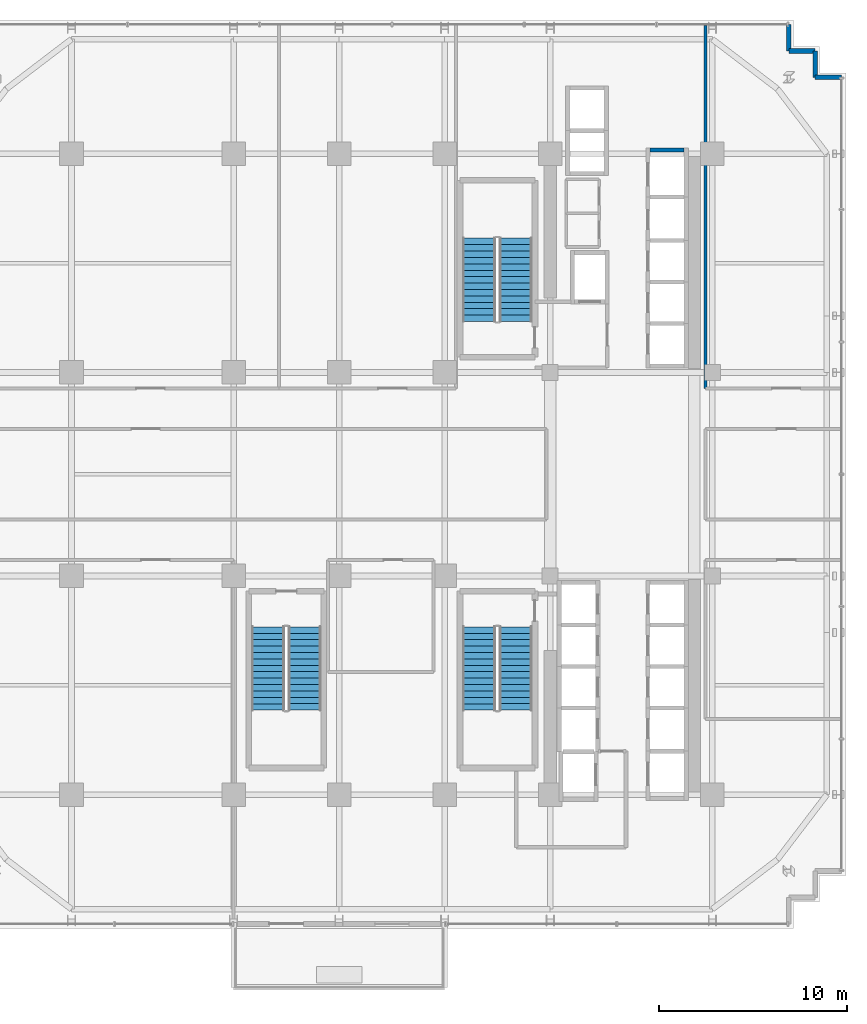
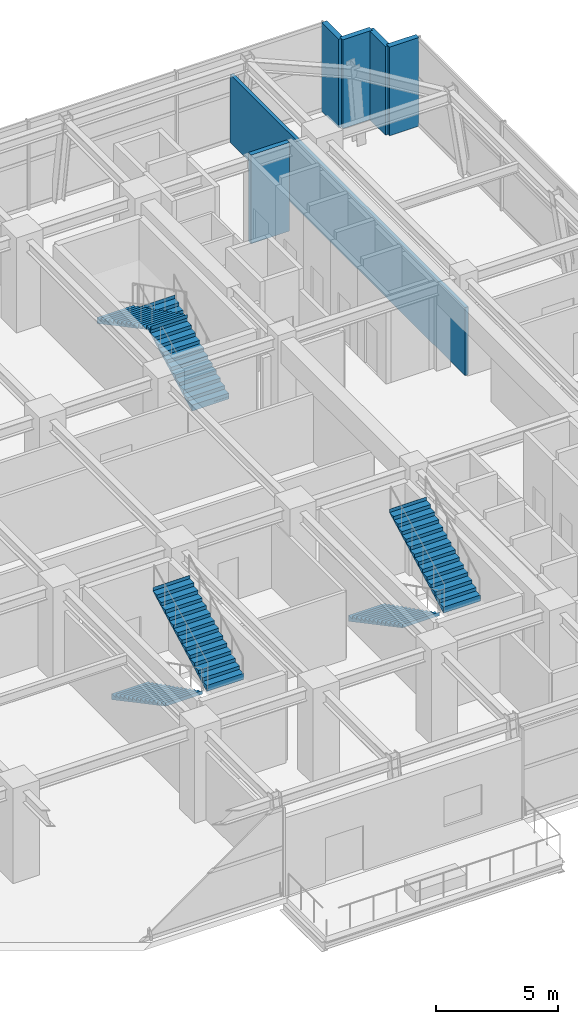
# One storey, part 23 of 26: 6 stair flights, 6 walls, 3 elements without a shape of their own.
"""IFC4 building model written with IfcOpenShell, lengths in metres."""

from ifc_helpers import new_model, si_unit, direction, frame, frame_2d, origin, place, context, subcontext, project, spatial, polyline, rectangle, outline, extrude, source, transform, mapped, material, layer, layer_set, type_object, element, aggregate, save


model = new_model("IFC4")

# Units and contexts
model_context = context("Model", 3, precision=1e-05, world=origin(), true_north=direction((0.0, 1.0)))
body_context = subcontext(model_context, "Body", "Model", "MODEL_VIEW")
ifc_project = project(units=[si_unit("LENGTHUNIT", "METRE"), si_unit("AREAUNIT", "SQUARE_METRE"), si_unit("VOLUMEUNIT", "CUBIC_METRE"), si_unit("PLANEANGLEUNIT", "RADIAN"), si_unit("MASSUNIT", "GRAM", prefix="KILO")], contexts=[model_context])

# Site, building, storey
site_placement = place(None, origin())
site = spatial("IfcSite", under=ifc_project, at=site_placement, CompositionType="ELEMENT")
building_placement = place(site_placement, origin())
building = spatial("IfcBuilding", under=site, at=building_placement, Name="Nahalor Promenade Grand Hotel", CompositionType="ELEMENT")
storey_placement = place(building_placement, frame((0.0, 0.0, 139.39990234375)))
storey = spatial("IfcBuildingStorey", under=building, at=storey_placement, Name="L35", CompositionType="ELEMENT", Elevation=139.39990234375)

# Walls
ifc_material_1 = material(Name="Concrete B-50 (C40/50)", Category="concrete")
ifc_layer_1 = layer(ifc_material_1, 0.219970703125)
ifc_layer_set_1 = layer_set([ifc_layer_1], Name="Concrete B-50 (C40/50)")
wall_type_1 = type_object("IfcWallType", Name="Wall-LiftShaft-220", PredefinedType="SHEAR", material=ifc_layer_set_1)
shared_shape_1 = source(origin(), body_context, "Body", "SweptSolid", [
    extrude(rectangle(XDim=1.820068359375, YDim=0.219970703125, at=frame_2d((0.91015625, 0.0))), origin(), (0.0, 0.0, 1.0), 4.440185546875),
])
wall_1_placement = place(storey_placement, frame((13.68994140625, 17.199951171875, 0.0), z_axis=(0.0, 0.0, 1.0), x_axis=(1.0, 0.0, 0.0)))
element("IfcWall", 1, at=wall_1_placement, inside=storey, type_object=wall_type_1, Name="L35 Lift SV1 Hoistway Wall N", PredefinedType="SHEAR", context=body_context, shape_type="MappedRepresentation", body=[
    mapped(shared_shape_1, transform((0.0, 0.0, 0.0), scale=1.0)),
])
ifc_material_2 = material(Name="Concrete B-40 (C32/40)", Category="concrete")
ifc_layer_2 = layer(ifc_material_2, 0.25)
ifc_layer_set_2 = layer_set([ifc_layer_2], Name="Concrete B-40 (C32/40)")
wall_type_2 = type_object("IfcWallType", Name="Wall-BronzePier-250", PredefinedType="STANDARD", material=ifc_layer_set_2)
shared_shape_2 = source(origin(), body_context, "Body", "SweptSolid", [
    extrude(rectangle(XDim=1.400146484375, YDim=0.25, at=frame_2d((0.7001953125, 0.0))), origin(), (0.0, 0.0, 1.0), 4.440185546875),
])
for number, where, z_axis, x_axis, name in (
    (2, (22.4599609375, 21.06005859375, 0.0), (0.0, 0.0, 1.0), (1.0, 0.0, 0.0), "W-L35-SR-05"),
    (3, (21.06005859375, 22.4599609375, 0.0), (0.0, 0.0, 1.0), (0.0, 1.0, 0.0), "W-L35-SR-08"),
):
    element("IfcWall", number, at=place(storey_placement, frame(where, z_axis=z_axis, x_axis=x_axis)), inside=storey, type_object=wall_type_2, Name=name, PredefinedType="STANDARD", context=body_context, shape_type="MappedRepresentation", body=[
        mapped(shared_shape_2, transform((0.0, 0.0, 0.0), scale=1.0)),
    ])
shared_shape_3 = source(origin(), body_context, "Body", "SweptSolid", [
    extrude(rectangle(XDim=1.39990234375, YDim=0.25, at=frame_2d((0.699951171875, 0.0))), origin(), (0.0, 0.0, 1.0), 4.440185546875),
])
for number, where, z_axis, x_axis, name in (
    (4, (22.4599609375, 21.06005859375, 0.0), (0.0, 0.0, 1.0), (0.0, 1.0, 0.0), "W-L35-SR-06"),
    (5, (21.06005859375, 22.4599609375, 0.0), (0.0, 0.0, 1.0), (1.0, 0.0, 0.0), "W-L35-SR-07"),
):
    element("IfcWall", number, at=place(storey_placement, frame(where, z_axis=z_axis, x_axis=x_axis)), inside=storey, type_object=wall_type_2, Name=name, PredefinedType="STANDARD", context=body_context, shape_type="MappedRepresentation", body=[
        mapped(shared_shape_3, transform((0.0, 0.0, 0.0), scale=1.0)),
    ])
ifc_material_3 = material(Name="Acoustic Mineral Gypsum", Category="gypsum")
ifc_layer_3 = layer(ifc_material_3, 0.159912109375)
ifc_layer_set_3 = layer_set([ifc_layer_3], Name="Acoustic Mineral Gypsum")
wall_type_3 = type_object("IfcWallType", Name="Wall-PartCorridor-160", PredefinedType="PARTITIONING", material=ifc_layer_set_3)
shared_shape_4 = source(origin(), body_context, "Body", "SweptSolid", [
    extrude(rectangle(XDim=19.25, YDim=0.159912109375, at=frame_2d((9.625, 0.0))), origin(), (0.0, 0.0, 1.0), 3.400146484375),
])
wall_2_placement = place(storey_placement, frame((16.64990234375, 4.550048828125, 0.0), z_axis=(0.0, 0.0, 1.0), x_axis=(0.0, 1.0, 0.0)))
element("IfcWall", 6, at=wall_2_placement, inside=storey, type_object=wall_type_3, Name="W-L35-SK06-W", PredefinedType="PARTITIONING", context=body_context, shape_type="MappedRepresentation", body=[
    mapped(shared_shape_4, transform((0.0, 0.0, 0.0), scale=1.0)),
])

# Stair, stair flights
stair_type_1 = type_object("IfcStairType", Name="Stair-ST1", PredefinedType="HALF_TURN_STAIR", material=ifc_material_1)
stair_1_placement = place(storey_placement, origin())
stair_1 = element("IfcStair", 7, at=stair_1_placement, inside=storey, type_object=stair_type_1, Name="L35 ST1", PredefinedType="HALF_TURN_STAIR")
ifc_layer_4 = layer(ifc_material_1, 0.179931640625)
ifc_layer_set_4 = layer_set([ifc_layer_4], Name="Concrete B-50 (C40/50)")
stair_flight_type_1 = type_object("IfcStairFlightType", Name="Flight-ST1", PredefinedType="STRAIGHT", material=ifc_layer_set_4)
shared_shape_5 = source(origin(), body_context, "Body", "SweptSolid", [
    extrude(outline(polyline([(-0.00390625, -0.1201171875), (-0.00390625, 0.0), (0.0, 0.0), (0.0, 0.17138671875), (0.340087890625, 0.17138671875), (0.340087890625, 0.3427734375), (0.679931640625, 0.3427734375), (0.679931640625, 0.514404296875), (1.02001953125, 0.514404296875), (1.02001953125, 0.685791015625), (1.360107421875, 0.685791015625), (1.360107421875, 0.857177734375), (1.699951171875, 0.857177734375), (1.699951171875, 1.028564453125), (2.0400390625, 1.028564453125), (2.0400390625, 1.199951171875), (2.3798828125, 1.199951171875), (2.3798828125, 1.371337890625), (2.719970703125, 1.371337890625), (2.719970703125, 1.54296875), (3.06005859375, 1.54296875), (3.06005859375, 1.71435546875), (3.39990234375, 1.71435546875), (3.39990234375, 1.8857421875), (3.739990234375, 1.8857421875), (3.739990234375, 2.05712890625), (4.080078125, 2.05712890625), (4.080078125, 2.228515625), (4.419921875, 2.228515625), (4.419921875, 2.39990234375), (4.424072265625, 2.39990234375), (4.424072265625, 2.219970703125), (0.02001953125, -0.1201171875), (-0.00390625, -0.1201171875)])), frame((0.0, 0.875, 0.0), z_axis=(0.0, -1.0, 0.0), x_axis=(1.0, 0.0, 0.0)), (0.0, 0.0, 1.0), 1.75),
])
stair_flight_1_placement = place(storey_placement, frame((6.574951171875, 8.10009765625, 0.0), z_axis=(0.0, 0.0, 1.0), x_axis=(0.0, 1.0, 0.0)))
stair_flight_1 = element("IfcStairFlight", 8, at=stair_flight_1_placement, type_object=stair_flight_type_1, Name="ST1 flight 1", NumberOfRisers=14, NumberOfTreads=13, PredefinedType="STRAIGHT", RiserHeight=0.171428571, TreadLength=0.34, context=body_context, shape_type="MappedRepresentation", body=[
    mapped(shared_shape_5, transform((0.0, 0.0, 0.0), scale=1.0)),
])
stair_flight_2_placement = place(storey_placement, frame((4.625, 12.52001953125, 2.400146484375), z_axis=(0.0, 0.0, 1.0), x_axis=(0.0, -1.0, 0.0)))
stair_flight_2 = element("IfcStairFlight", 9, at=stair_flight_2_placement, type_object=stair_flight_type_1, Name="ST1 flight 2", NumberOfRisers=14, NumberOfTreads=13, PredefinedType="STRAIGHT", RiserHeight=0.171428571, TreadLength=0.34, context=body_context, shape_type="MappedRepresentation", body=[
    mapped(shared_shape_5, transform((0.0, 0.0, 0.0), scale=1.0)),
])
aggregate(stair_1, [stair_flight_1, stair_flight_2])

stair_type_2 = type_object("IfcStairType", Name="Stair-ST2", PredefinedType="HALF_TURN_STAIR", material=ifc_material_1)
stair_2_placement = place(storey_placement, origin())
stair_2 = element("IfcStair", 10, at=stair_2_placement, inside=storey, type_object=stair_type_2, Name="L35 ST2", PredefinedType="HALF_TURN_STAIR")
ifc_layer_5 = layer(ifc_material_1, 0.18994140625)
ifc_layer_set_5 = layer_set([ifc_layer_5], Name="Concrete B-50 (C40/50)")
stair_flight_type_2 = type_object("IfcStairFlightType", Name="Flight-ST2", PredefinedType="STRAIGHT", material=ifc_layer_set_5)
shared_shape_6 = source(origin(), body_context, "Body", "SweptSolid", [
    extrude(outline(polyline([(-0.00390625, -0.1201171875), (-0.00390625, 0.0), (0.0, 0.0), (0.0, 0.17138671875), (0.340087890625, 0.17138671875), (0.340087890625, 0.3427734375), (0.679931640625, 0.3427734375), (0.679931640625, 0.514404296875), (1.02001953125, 0.514404296875), (1.02001953125, 0.685791015625), (1.360107421875, 0.685791015625), (1.360107421875, 0.857177734375), (1.699951171875, 0.857177734375), (1.699951171875, 1.028564453125), (2.0400390625, 1.028564453125), (2.0400390625, 1.199951171875), (2.3798828125, 1.199951171875), (2.3798828125, 1.371337890625), (2.719970703125, 1.371337890625), (2.719970703125, 1.54296875), (3.06005859375, 1.54296875), (3.06005859375, 1.71435546875), (3.39990234375, 1.71435546875), (3.39990234375, 1.8857421875), (3.739990234375, 1.8857421875), (3.739990234375, 2.05712890625), (4.080078125, 2.05712890625), (4.080078125, 2.228515625), (4.419921875, 2.228515625), (4.419921875, 2.39990234375), (4.424072265625, 2.39990234375), (4.424072265625, 2.219970703125), (0.02001953125, -0.1201171875), (-0.00390625, -0.1201171875)])), frame((0.0, 0.875, 0.0), z_axis=(0.0, -1.0, 0.0), x_axis=(1.0, 0.0, 0.0)), (0.0, 0.0, 1.0), 1.75),
])
stair_flight_3_placement = place(storey_placement, frame((4.625, -8.10009765625, 0.0), z_axis=(0.0, 0.0, 1.0), x_axis=(0.0, -1.0, 0.0)))
stair_flight_3 = element("IfcStairFlight", 11, at=stair_flight_3_placement, type_object=stair_flight_type_2, Name="ST2 flight 1", NumberOfRisers=14, NumberOfTreads=13, PredefinedType="STRAIGHT", RiserHeight=0.171428571, TreadLength=0.34, context=body_context, shape_type="MappedRepresentation", body=[
    mapped(shared_shape_6, transform((0.0, 0.0, 0.0), scale=1.0)),
])
stair_flight_4_placement = place(storey_placement, frame((6.574951171875, -12.52001953125, 2.400146484375), z_axis=(0.0, 0.0, 1.0), x_axis=(0.0, 1.0, 0.0)))
stair_flight_4 = element("IfcStairFlight", 12, at=stair_flight_4_placement, type_object=stair_flight_type_2, Name="ST2 flight 2", NumberOfRisers=14, NumberOfTreads=13, PredefinedType="STRAIGHT", RiserHeight=0.171428571, TreadLength=0.34, context=body_context, shape_type="MappedRepresentation", body=[
    mapped(shared_shape_6, transform((0.0, 0.0, 0.0), scale=1.0)),
])
aggregate(stair_2, [stair_flight_3, stair_flight_4])

stair_type_3 = type_object("IfcStairType", Name="Stair-ST3", PredefinedType="HALF_TURN_STAIR", material=ifc_material_1)
stair_3_placement = place(storey_placement, origin())
stair_3 = element("IfcStair", 13, at=stair_3_placement, inside=storey, type_object=stair_type_3, Name="L35 ST3", PredefinedType="HALF_TURN_STAIR")
ifc_layer_6 = layer(ifc_material_1, 0.199951171875)
ifc_layer_set_6 = layer_set([ifc_layer_6], Name="Concrete B-50 (C40/50)")
stair_flight_type_3 = type_object("IfcStairFlightType", Name="Flight-ST3", PredefinedType="STRAIGHT", material=ifc_layer_set_6)
shared_shape_7 = source(origin(), body_context, "Body", "SweptSolid", [
    extrude(outline(polyline([(-0.00390625, -0.1201171875), (-0.00390625, 0.0), (0.0, 0.0), (0.0, 0.17138671875), (0.340087890625, 0.17138671875), (0.340087890625, 0.3427734375), (0.679931640625, 0.3427734375), (0.679931640625, 0.514404296875), (1.02001953125, 0.514404296875), (1.02001953125, 0.685791015625), (1.360107421875, 0.685791015625), (1.360107421875, 0.857177734375), (1.699951171875, 0.857177734375), (1.699951171875, 1.028564453125), (2.0400390625, 1.028564453125), (2.0400390625, 1.199951171875), (2.3798828125, 1.199951171875), (2.3798828125, 1.371337890625), (2.719970703125, 1.371337890625), (2.719970703125, 1.54296875), (3.06005859375, 1.54296875), (3.06005859375, 1.71435546875), (3.39990234375, 1.71435546875), (3.39990234375, 1.8857421875), (3.739990234375, 1.8857421875), (3.739990234375, 2.05712890625), (4.080078125, 2.05712890625), (4.080078125, 2.228515625), (4.419921875, 2.228515625), (4.419921875, 2.39990234375), (4.424072265625, 2.39990234375), (4.424072265625, 2.219970703125), (0.02001953125, -0.1201171875), (-0.00390625, -0.1201171875)])), frame((0.0, 0.875, 0.0), z_axis=(0.0, -1.0, 0.0), x_axis=(1.0, 0.0, 0.0)), (0.0, 0.0, 1.0), 1.75),
])
stair_flight_5_placement = place(storey_placement, frame((-6.574951171875, -8.10009765625, 0.0), z_axis=(0.0, 0.0, 1.0), x_axis=(0.0, -1.0, 0.0)))
stair_flight_5 = element("IfcStairFlight", 14, at=stair_flight_5_placement, type_object=stair_flight_type_3, Name="ST3 flight 1", NumberOfRisers=14, NumberOfTreads=13, PredefinedType="STRAIGHT", RiserHeight=0.171428571, TreadLength=0.34, context=body_context, shape_type="MappedRepresentation", body=[
    mapped(shared_shape_7, transform((0.0, 0.0, 0.0), scale=1.0)),
])
stair_flight_6_placement = place(storey_placement, frame((-4.625, -12.52001953125, 2.400146484375), z_axis=(0.0, 0.0, 1.0), x_axis=(0.0, 1.0, 0.0)))
stair_flight_6 = element("IfcStairFlight", 15, at=stair_flight_6_placement, type_object=stair_flight_type_3, Name="ST3 flight 2", NumberOfRisers=14, NumberOfTreads=13, PredefinedType="STRAIGHT", RiserHeight=0.171428571, TreadLength=0.34, context=body_context, shape_type="MappedRepresentation", body=[
    mapped(shared_shape_7, transform((0.0, 0.0, 0.0), scale=1.0)),
])
aggregate(stair_3, [stair_flight_5, stair_flight_6])

save(model, "model.ifc")
